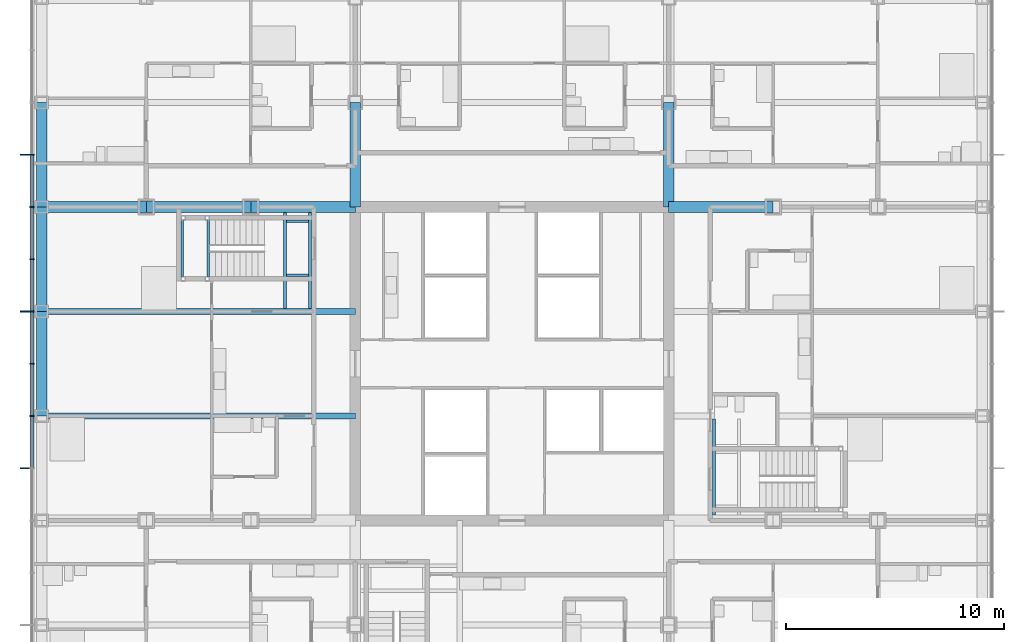
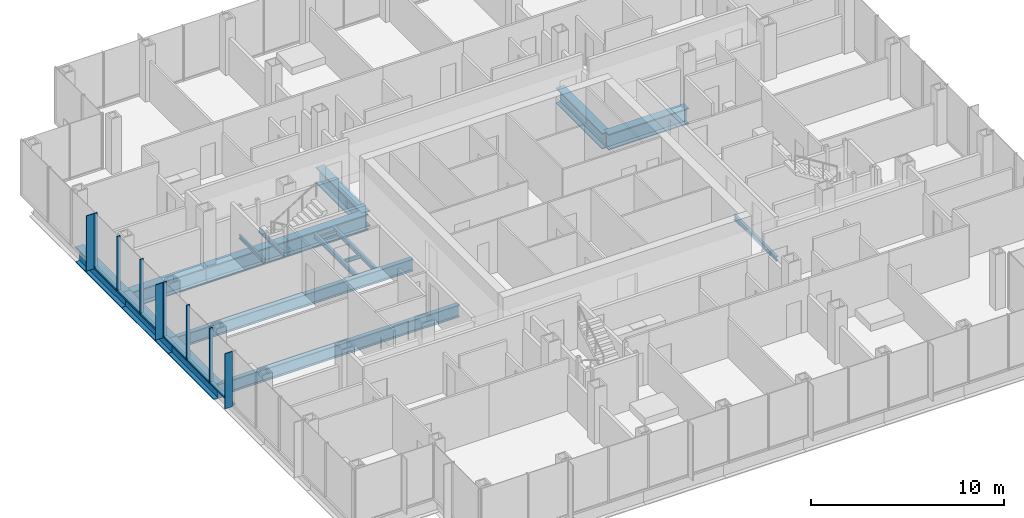
# One storey, part 8 of 21: 18 beams, 15 members, 1 element without a shape of its own.
"""IFC4 building model written with IfcOpenShell, lengths in metres."""

from ifc_helpers import new_model, si_unit, direction, frame, origin, origin_2d, place, context, subcontext, project, spatial, rectangle, i_section, extrude, material, material_profile, profile_set, type_object, element, aggregate, save


model = new_model("IFC4")

# Units and contexts
model_context = context("Model", 3, precision=1e-05, world=origin(), true_north=direction((0.0, 1.0)))
body_context = subcontext(model_context, "Body", "Model", "MODEL_VIEW")
ifc_project = project(units=[si_unit("LENGTHUNIT", "METRE"), si_unit("AREAUNIT", "SQUARE_METRE"), si_unit("VOLUMEUNIT", "CUBIC_METRE"), si_unit("PLANEANGLEUNIT", "RADIAN"), si_unit("MASSUNIT", "GRAM", prefix="KILO")], contexts=[model_context])

# Site, building, storey
site_placement = place(None, origin())
site = spatial("IfcSite", under=ifc_project, at=site_placement, CompositionType="ELEMENT")
building_placement = place(site_placement, origin())
building = spatial("IfcBuilding", under=site, at=building_placement, Name="Kvirike Care Tower", CompositionType="ELEMENT")
storey_placement = place(building_placement, frame((0.0, 0.0, 65.5)))
storey = spatial("IfcBuildingStorey", under=building, at=storey_placement, Name="L17", CompositionType="ELEMENT", Elevation=65.5)

# Curtain wall, members
ifc_material_1 = material(Name="Anodised aluminium stick system", Category="aluminium")
curtain_wall_type = type_object("IfcCurtainWallType", Name="CW-A STICK CURTAIN WALL", PredefinedType="NOTDEFINED", material=ifc_material_1)
curtain_wall_placement = place(storey_placement, origin())
curtain_wall = element("IfcCurtainWall", 1, at=curtain_wall_placement, inside=storey, type_object=curtain_wall_type, Name="Curtain wall L17 face 1", PredefinedType="NOTDEFINED")
ifc_material_2 = material(Name="Bronze anodised aluminium fin", Category="aluminium")
ifc_material_profile_1 = material_profile(ifc_material_2, rectangle(XDim=0.050048828125, YDim=0.449951171875, at=origin_2d()), Name="BRONZE FIN 450")
ifc_profile_set_1 = profile_set([ifc_material_profile_1], Name="Bronze anodised aluminium fin")
member_type_1 = type_object("IfcMemberType", Name="BRONZE FIN 450", PredefinedType="USERDEFINED", material=ifc_profile_set_1)
member_1_placement = place(storey_placement, frame((-0.77490234375, 45.60009765625, 0.0), z_axis=(0.0, 0.0, 1.0), x_axis=(0.0, -1.0, 0.0)))
member_1 = element("IfcMember", 2, at=member_1_placement, type_object=member_type_1, Name="Bronze fin L17 face 1.4", ObjectType="FIN", PredefinedType="USERDEFINED", context=body_context, shape_type="SweptSolid", body=[
    extrude(rectangle(XDim=0.050048828125, YDim=0.449951171875, at=origin_2d()), origin(), (0.0, 0.0, 1.0), 3.5),
])
member_2_placement = place(storey_placement, frame((-0.77490234375, 38.39990234375, 0.0), z_axis=(0.0, 0.0, 1.0), x_axis=(0.0, -1.0, 0.0)))
member_2 = element("IfcMember", 3, at=member_2_placement, type_object=member_type_1, Name="Bronze fin L17 face 1.7", ObjectType="FIN", PredefinedType="USERDEFINED", context=body_context, shape_type="SweptSolid", body=[
    extrude(rectangle(XDim=0.050048828125, YDim=0.449951171875, at=origin_2d()), origin(), (0.0, 0.0, 1.0), 3.5),
])
member_3_placement = place(storey_placement, frame((-0.77490234375, 31.199951171875, 0.0), z_axis=(0.0, 0.0, 1.0), x_axis=(0.0, -1.0, 0.0)))
member_3 = element("IfcMember", 4, at=member_3_placement, type_object=member_type_1, Name="Bronze fin L17 face 1.10", ObjectType="FIN", PredefinedType="USERDEFINED", context=body_context, shape_type="SweptSolid", body=[
    extrude(rectangle(XDim=0.050048828125, YDim=0.449951171875, at=origin_2d()), origin(), (0.0, 0.0, 1.0), 3.5),
])
ifc_material_3 = material(Name="Bronze anodised aluminium mullion", Category="aluminium")
ifc_material_profile_2 = material_profile(ifc_material_3, rectangle(XDim=0.06494140625, YDim=0.199951171875, at=origin_2d()), Name="CW-A MULLION 65x200")
ifc_profile_set_2 = profile_set([ifc_material_profile_2], Name="Bronze anodised aluminium mullion")
member_type_2 = type_object("IfcMemberType", Name="CW-A MULLION 65x200", PredefinedType="MULLION", material=ifc_profile_set_2)
member_4_placement = place(storey_placement, frame((-0.449951171875, 45.60009765625, 0.0), z_axis=(0.0, 0.0, 1.0), x_axis=(0.0, -1.0, 0.0)))
member_4 = element("IfcMember", 5, at=member_4_placement, type_object=member_type_2, Name="CW-A mullion L17 face 1.4", PredefinedType="MULLION", context=body_context, shape_type="SweptSolid", body=[
    extrude(rectangle(XDim=0.06494140625, YDim=0.199951171875, at=origin_2d()), origin(), (0.0, 0.0, 1.0), 3.5),
])
member_5_placement = place(storey_placement, frame((-0.449951171875, 43.199951171875, 0.0), z_axis=(0.0, 0.0, 1.0), x_axis=(0.0, -1.0, 0.0)))
member_5 = element("IfcMember", 6, at=member_5_placement, type_object=member_type_2, Name="CW-A mullion L17 face 1.5", PredefinedType="MULLION", context=body_context, shape_type="SweptSolid", body=[
    extrude(rectangle(XDim=0.06494140625, YDim=0.199951171875, at=origin_2d()), origin(), (0.0, 0.0, 1.0), 3.5),
])
member_6_placement = place(storey_placement, frame((-0.449951171875, 40.800048828125, 0.0), z_axis=(0.0, 0.0, 1.0), x_axis=(0.0, -1.0, 0.0)))
member_6 = element("IfcMember", 7, at=member_6_placement, type_object=member_type_2, Name="CW-A mullion L17 face 1.6", PredefinedType="MULLION", context=body_context, shape_type="SweptSolid", body=[
    extrude(rectangle(XDim=0.06494140625, YDim=0.199951171875, at=origin_2d()), origin(), (0.0, 0.0, 1.0), 3.5),
])
member_7_placement = place(storey_placement, frame((-0.449951171875, 38.39990234375, 0.0), z_axis=(0.0, 0.0, 1.0), x_axis=(0.0, -1.0, 0.0)))
member_7 = element("IfcMember", 8, at=member_7_placement, type_object=member_type_2, Name="CW-A mullion L17 face 1.7", PredefinedType="MULLION", context=body_context, shape_type="SweptSolid", body=[
    extrude(rectangle(XDim=0.06494140625, YDim=0.199951171875, at=origin_2d()), origin(), (0.0, 0.0, 1.0), 3.5),
])
member_8_placement = place(storey_placement, frame((-0.449951171875, 36.0, 0.0), z_axis=(0.0, 0.0, 1.0), x_axis=(0.0, -1.0, 0.0)))
member_8 = element("IfcMember", 9, at=member_8_placement, type_object=member_type_2, Name="CW-A mullion L17 face 1.8", PredefinedType="MULLION", context=body_context, shape_type="SweptSolid", body=[
    extrude(rectangle(XDim=0.06494140625, YDim=0.199951171875, at=origin_2d()), origin(), (0.0, 0.0, 1.0), 3.5),
])
member_9_placement = place(storey_placement, frame((-0.449951171875, 33.60009765625, 0.0), z_axis=(0.0, 0.0, 1.0), x_axis=(0.0, -1.0, 0.0)))
member_9 = element("IfcMember", 10, at=member_9_placement, type_object=member_type_2, Name="CW-A mullion L17 face 1.9", PredefinedType="MULLION", context=body_context, shape_type="SweptSolid", body=[
    extrude(rectangle(XDim=0.06494140625, YDim=0.199951171875, at=origin_2d()), origin(), (0.0, 0.0, 1.0), 3.5),
])
ifc_material_4 = material(Name="Bronze anodised aluminium transom", Category="aluminium")
ifc_material_profile_3 = material_profile(ifc_material_4, rectangle(XDim=0.199951171875, YDim=0.10009765625, at=origin_2d()), Name="CW-A TRANSOM 200x100")
ifc_profile_set_3 = profile_set([ifc_material_profile_3], Name="Bronze anodised aluminium transom")
member_type_3 = type_object("IfcMemberType", Name="CW-A TRANSOM 200x100", PredefinedType="USERDEFINED", material=ifc_profile_set_3)
member_10_placement = place(storey_placement, frame((-0.449951171875, 45.5673828125, 0.050048828125), z_axis=(0.0, -1.0, 0.0), x_axis=(1.0, 0.0, 0.0)))
member_10 = element("IfcMember", 11, at=member_10_placement, type_object=member_type_3, Name="CW-A sill transom L17 face 1.4", ObjectType="TRANSOM", PredefinedType="USERDEFINED", context=body_context, shape_type="SweptSolid", body=[
    extrude(rectangle(XDim=0.199951171875, YDim=0.10009765625, at=origin_2d()), origin(), (0.0, 0.0, 1.0), 2.3349609375),
])
member_11_placement = place(storey_placement, frame((-0.449951171875, 43.16748046875, 0.050048828125), z_axis=(0.0, -1.0, 0.0), x_axis=(1.0, 0.0, 0.0)))
member_11 = element("IfcMember", 12, at=member_11_placement, type_object=member_type_3, Name="CW-A sill transom L17 face 1.5", ObjectType="TRANSOM", PredefinedType="USERDEFINED", context=body_context, shape_type="SweptSolid", body=[
    extrude(rectangle(XDim=0.199951171875, YDim=0.10009765625, at=origin_2d()), origin(), (0.0, 0.0, 1.0), 2.3349609375),
])
member_12_placement = place(storey_placement, frame((-0.449951171875, 40.767578125, 0.050048828125), z_axis=(0.0, -1.0, 0.0), x_axis=(1.0, 0.0, 0.0)))
member_12 = element("IfcMember", 13, at=member_12_placement, type_object=member_type_3, Name="CW-A sill transom L17 face 1.6", ObjectType="TRANSOM", PredefinedType="USERDEFINED", context=body_context, shape_type="SweptSolid", body=[
    extrude(rectangle(XDim=0.199951171875, YDim=0.10009765625, at=origin_2d()), origin(), (0.0, 0.0, 1.0), 2.3349609375),
])
member_13_placement = place(storey_placement, frame((-0.449951171875, 38.367431640625, 0.050048828125), z_axis=(0.0, -1.0, 0.0), x_axis=(1.0, 0.0, 0.0)))
member_13 = element("IfcMember", 14, at=member_13_placement, type_object=member_type_3, Name="CW-A sill transom L17 face 1.7", ObjectType="TRANSOM", PredefinedType="USERDEFINED", context=body_context, shape_type="SweptSolid", body=[
    extrude(rectangle(XDim=0.199951171875, YDim=0.10009765625, at=origin_2d()), origin(), (0.0, 0.0, 1.0), 2.3349609375),
])
member_14_placement = place(storey_placement, frame((-0.449951171875, 35.967529296875, 0.050048828125), z_axis=(0.0, -1.0, 0.0), x_axis=(1.0, 0.0, 0.0)))
member_14 = element("IfcMember", 15, at=member_14_placement, type_object=member_type_3, Name="CW-A sill transom L17 face 1.8", ObjectType="TRANSOM", PredefinedType="USERDEFINED", context=body_context, shape_type="SweptSolid", body=[
    extrude(rectangle(XDim=0.199951171875, YDim=0.10009765625, at=origin_2d()), origin(), (0.0, 0.0, 1.0), 2.3349609375),
])
member_15_placement = place(storey_placement, frame((-0.449951171875, 33.5673828125, 0.050048828125), z_axis=(0.0, -1.0, 0.0), x_axis=(1.0, 0.0, 0.0)))
member_15 = element("IfcMember", 16, at=member_15_placement, type_object=member_type_3, Name="CW-A sill transom L17 face 1.9", ObjectType="TRANSOM", PredefinedType="USERDEFINED", context=body_context, shape_type="SweptSolid", body=[
    extrude(rectangle(XDim=0.199951171875, YDim=0.10009765625, at=origin_2d()), origin(), (0.0, 0.0, 1.0), 2.3349609375),
])
aggregate(curtain_wall, [member_4, member_1, member_5, member_6, member_7, member_2, member_8, member_9, member_3, member_10, member_11, member_12, member_13, member_14, member_15])

# Beams
ifc_material_5 = material(Name="Steel S355", Category="steel")
ifc_material_profile_4 = material_profile(ifc_material_5, i_section(OverallWidth=0.26806640625, OverallDepth=0.77001953125, WebThickness=0.015625, FlangeThickness=0.025390625, FilletRadius=0.01708984375, at=origin_2d()), Name="IPE 750x196")
ifc_profile_set_4 = profile_set([ifc_material_profile_4], Name="Steel S355")
beam_type_1 = type_object("IfcBeamType", Name="FLOOR BEAM IPE 750x196", PredefinedType="BEAM", material=ifc_profile_set_4)
for number, where, z_axis, x_axis, name in (
    (17, (0.0, 33.60009765625, -0.554931640625), (1.0, 0.0, 0.0), (0.0, 1.0, 0.0), "Floor Beam H3-H6 L17"),
    (18, (0.0, 38.39990234375, -0.554931640625), (1.0, 0.0, 0.0), (0.0, 1.0, 0.0), "Floor Beam J3-J6 L17"),
):
    element("IfcBeam", number, at=place(storey_placement, frame(where, z_axis=z_axis, x_axis=x_axis)), inside=storey, type_object=beam_type_1, Name=name, PredefinedType="BEAM", context=body_context, shape_type="SweptSolid", body=[
        extrude(i_section(OverallWidth=0.26806640625, OverallDepth=0.77001953125, WebThickness=0.015625, FlangeThickness=0.025390625, FilletRadius=0.01708984375, at=origin_2d()), origin(), (0.0, 0.0, 1.0), 14.39990234375),
    ])
ifc_material_6 = material(Name="Steel S355", Category="steel")
ifc_material_profile_5 = material_profile(ifc_material_6, i_section(OverallWidth=0.5, OverallDepth=1.0, WebThickness=0.030029296875, FlangeThickness=0.06005859375, at=origin_2d()), Name="PG 1000x500x30x60")
ifc_profile_set_5 = profile_set([ifc_material_profile_5], Name="Steel S355")
beam_type_2 = type_object("IfcBeamType", Name="FRAME BEAM PG 1000x500x30x60", PredefinedType="BEAM", material=ifc_profile_set_5)
for number, where, z_axis, x_axis, name in (
    (19, (0.0, 43.199951171875, -0.669921875), (1.0, 0.0, 0.0), (0.0, 1.0, 0.0), "Frame Beam K3-K4 L17"),
    (20, (4.800048828125, 43.199951171875, -0.669921875), (1.0, 0.0, 0.0), (0.0, 1.0, 0.0), "Frame Beam K4-K5 L17"),
):
    element("IfcBeam", number, at=place(storey_placement, frame(where, z_axis=z_axis, x_axis=x_axis)), inside=storey, type_object=beam_type_2, Name=name, PredefinedType="BEAM", context=body_context, shape_type="SweptSolid", body=[
        extrude(i_section(OverallWidth=0.5, OverallDepth=1.0, WebThickness=0.030029296875, FlangeThickness=0.06005859375, at=origin_2d()), origin(), (0.0, 0.0, 1.0), 4.800048828125),
    ])
beam_1_placement = place(storey_placement, frame((9.60009765625, 43.199951171875, -0.669921875), z_axis=(1.0, 0.0, 0.0), x_axis=(0.0, 1.0, 0.0)))
element("IfcBeam", 21, at=beam_1_placement, inside=storey, type_object=beam_type_2, Name="Frame Beam K5-K6 L17", PredefinedType="BEAM", context=body_context, shape_type="SweptSolid", body=[
    extrude(i_section(OverallWidth=0.5, OverallDepth=1.0, WebThickness=0.030029296875, FlangeThickness=0.06005859375, at=origin_2d()), origin(), (0.0, 0.0, 1.0), 4.7998046875),
])
for number, where, z_axis, x_axis, name in (
    (22, (28.800048828125, 43.199951171875, -0.669921875), (1.0, 0.0, 0.0), (0.0, 1.0, 0.0), "Frame Beam K9-K10 L17"),
    (23, (14.39990234375, 43.199951171875, -0.669921875), (0.0, 1.0, 0.0), (-1.0, 0.0, 0.0), "Frame Beam K6-L6 L17"),
    (24, (28.800048828125, 43.199951171875, -0.669921875), (0.0, 1.0, 0.0), (-1.0, 0.0, 0.0), "Frame Beam K9-L9 L17"),
):
    element("IfcBeam", number, at=place(storey_placement, frame(where, z_axis=z_axis, x_axis=x_axis)), inside=storey, type_object=beam_type_2, Name=name, PredefinedType="BEAM", context=body_context, shape_type="SweptSolid", body=[
        extrude(i_section(OverallWidth=0.5, OverallDepth=1.0, WebThickness=0.030029296875, FlangeThickness=0.06005859375, at=origin_2d()), origin(), (0.0, 0.0, 1.0), 4.800048828125),
    ])
ifc_material_7 = material(Name="Steel S355", Category="steel")
ifc_material_profile_6 = material_profile(ifc_material_7, i_section(OverallWidth=0.5, OverallDepth=1.0, WebThickness=0.030029296875, FlangeThickness=0.06005859375, at=origin_2d()), Name="PG 1000x500x30x60")
ifc_profile_set_6 = profile_set([ifc_material_profile_6], Name="Steel S355")
beam_type_3 = type_object("IfcBeamType", Name="SPANDREL PG 1000x500x30x60", PredefinedType="SPANDREL", material=ifc_profile_set_6)
beam_2_placement = place(storey_placement, frame((0.0, 33.60009765625, -0.669921875), z_axis=(0.0, 1.0, 0.0), x_axis=(-1.0, 0.0, 0.0)))
element("IfcBeam", 25, at=beam_2_placement, inside=storey, type_object=beam_type_3, Name="Spandrel H3-J3 L17", PredefinedType="SPANDREL", context=body_context, shape_type="SweptSolid", body=[
    extrude(i_section(OverallWidth=0.5, OverallDepth=1.0, WebThickness=0.030029296875, FlangeThickness=0.06005859375, at=origin_2d()), origin(), (0.0, 0.0, 1.0), 4.7998046875),
])
for number, where, z_axis, x_axis, name in (
    (26, (0.0, 38.39990234375, -0.669921875), (0.0, 1.0, 0.0), (-1.0, 0.0, 0.0), "Spandrel J3-K3 L17"),
    (27, (0.0, 43.199951171875, -0.669921875), (0.0, 1.0, 0.0), (-1.0, 0.0, 0.0), "Spandrel K3-L3 L17"),
):
    element("IfcBeam", number, at=place(storey_placement, frame(where, z_axis=z_axis, x_axis=x_axis)), inside=storey, type_object=beam_type_3, Name=name, PredefinedType="SPANDREL", context=body_context, shape_type="SweptSolid", body=[
        extrude(i_section(OverallWidth=0.5, OverallDepth=1.0, WebThickness=0.030029296875, FlangeThickness=0.06005859375, at=origin_2d()), origin(), (0.0, 0.0, 1.0), 4.800048828125),
    ])
ifc_material_8 = material(Name="Steel S355", Category="steel")
ifc_material_profile_7 = material_profile(ifc_material_8, i_section(OverallWidth=0.1201171875, OverallDepth=0.239990234375, WebThickness=0.006103515625, FlangeThickness=0.009765625, FilletRadius=0.014892578125, at=origin_2d()), Name="IPE 240")
ifc_profile_set_7 = profile_set([ifc_material_profile_7], Name="Steel S355")
beam_type_4 = type_object("IfcBeamType", Name="STAIR LANDING BEAM IPE 240", PredefinedType="BEAM", material=ifc_profile_set_7)
for number, where, z_axis, x_axis, name in (
    (28, (6.4599609375, 42.60009765625, 1.429931640625), (0.0, -1.0, 0.0), (1.0, 0.0, 0.0), "Stair 1 landing beam back L17"),
    (29, (7.639892578125, 42.60009765625, 1.429931640625), (0.0, -1.0, 0.0), (1.0, 0.0, 0.0), "Stair 1 landing beam front L17"),
):
    element("IfcBeam", number, at=place(storey_placement, frame(where, z_axis=z_axis, x_axis=x_axis)), inside=storey, type_object=beam_type_4, Name=name, PredefinedType="BEAM", context=body_context, shape_type="SweptSolid", body=[
        extrude(i_section(OverallWidth=0.1201171875, OverallDepth=0.239990234375, WebThickness=0.006103515625, FlangeThickness=0.009765625, FilletRadius=0.014892578125, at=origin_2d()), origin(), (0.0, 0.0, 1.0), 2.60009765625),
    ])
for number, where, z_axis, x_axis, name in (
    (30, (11.25, 42.5400390625, -0.320068359375), (1.0, 0.0, 0.0), (0.0, 1.0, 0.0), "Stair 1 landing edge beam 1 L17"),
    (31, (11.25, 40.06005859375, -0.320068359375), (1.0, 0.0, 0.0), (0.0, 1.0, 0.0), "Stair 1 landing edge beam 2 L17"),
):
    element("IfcBeam", number, at=place(storey_placement, frame(where, z_axis=z_axis, x_axis=x_axis)), inside=storey, type_object=beam_type_4, Name=name, PredefinedType="BEAM", context=body_context, shape_type="SweptSolid", body=[
        extrude(i_section(OverallWidth=0.1201171875, OverallDepth=0.239990234375, WebThickness=0.006103515625, FlangeThickness=0.009765625, FilletRadius=0.014892578125, at=origin_2d()), origin(), (0.0, 0.0, 1.0), 1.0),
    ])
ifc_material_9 = material(Name="Steel S355", Category="steel")
ifc_material_profile_8 = material_profile(ifc_material_9, i_section(OverallWidth=0.14990234375, OverallDepth=0.300048828125, WebThickness=0.007080078125, FlangeThickness=0.0107421875, FilletRadius=0.014892578125, at=origin_2d()), Name="IPE 300")
ifc_profile_set_8 = profile_set([ifc_material_profile_8], Name="Steel S355")
beam_type_5 = type_object("IfcBeamType", Name="STAIR TRIMMER IPE 300", PredefinedType="BEAM", material=ifc_profile_set_8)
for number, where, z_axis, x_axis, name in (
    (32, (11.175048828125, 42.949951171875, -0.35009765625), (0.0, -1.0, 0.0), (1.0, 0.0, 0.0), "Stair 1 trimmer 1 L17"),
    (33, (12.324951171875, 42.949951171875, -0.35009765625), (0.0, -1.0, 0.0), (1.0, 0.0, 0.0), "Stair 1 trimmer 2 L17"),
    (34, (30.875, 29.050048828125, -0.35009765625), (0.0, 1.0, 0.0), (-1.0, 0.0, 0.0), "Stair 2 trimmer 2 L17"),
):
    element("IfcBeam", number, at=place(storey_placement, frame(where, z_axis=z_axis, x_axis=x_axis)), inside=storey, type_object=beam_type_5, Name=name, PredefinedType="BEAM", context=body_context, shape_type="SweptSolid", body=[
        extrude(i_section(OverallWidth=0.14990234375, OverallDepth=0.300048828125, WebThickness=0.007080078125, FlangeThickness=0.0107421875, FilletRadius=0.014892578125, at=origin_2d()), origin(), (0.0, 0.0, 1.0), 4.416015625),
    ])

save(model, "model.ifc")
